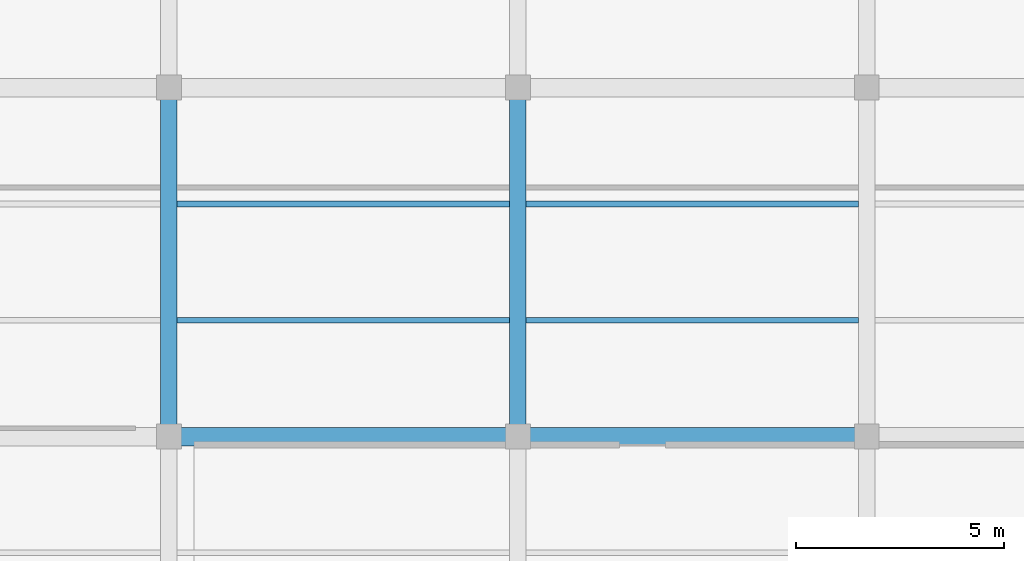
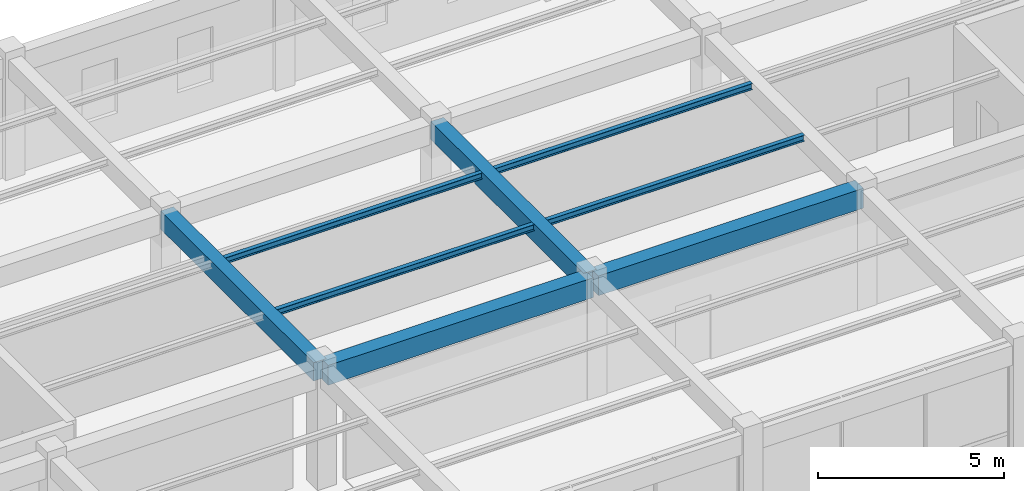
# One storey, part 12 of 114: 8 beams.
"""IFC4 building model written with IfcOpenShell, lengths in metres."""

from ifc_helpers import new_model, si_unit, direction, frame, origin, origin_2d, place, context, subcontext, project, spatial, rectangle, i_section, extrude, material, material_profile, profile_set, type_object, element, save


model = new_model("IFC4")

# Units and contexts
model_context = context("Model", 3, precision=1e-05, world=origin(), true_north=direction((0.0, 1.0)))
body_context = subcontext(model_context, "Body", "Model", "MODEL_VIEW")
ifc_project = project(units=[si_unit("LENGTHUNIT", "METRE"), si_unit("AREAUNIT", "SQUARE_METRE"), si_unit("VOLUMEUNIT", "CUBIC_METRE"), si_unit("PLANEANGLEUNIT", "RADIAN"), si_unit("MASSUNIT", "GRAM", prefix="KILO"), si_unit("THERMODYNAMICTEMPERATUREUNIT", "KELVIN"), si_unit("POWERUNIT", "WATT")], contexts=[model_context])

# Site, building, storey
site_placement = place(None, origin())
site = spatial("IfcSite", under=ifc_project, at=site_placement, CompositionType="ELEMENT")
building_placement = place(site_placement, origin())
building = spatial("IfcBuilding", under=site, at=building_placement, Name="Darbajah Civic Hall", CompositionType="ELEMENT")
storey_placement = place(building_placement, frame((0.0, 0.0, 13.800048828125)))
storey = spatial("IfcBuildingStorey", under=building, at=storey_placement, Name="L03", CompositionType="ELEMENT", Elevation=13.800048828125)

# Beams
ifc_material_1 = material(Name="Concrete C45/55", Category="concrete")
ifc_material_profile_1 = material_profile(ifc_material_1, rectangle(XDim=0.39990234375, YDim=0.60009765625, at=origin_2d()), Name="RC BEAM 400x600")
ifc_profile_set_1 = profile_set([ifc_material_profile_1], Name="Concrete C45/55")
beam_type_1 = type_object("IfcBeamType", Name="RC BEAM 400x600", PredefinedType="BEAM", material=ifc_profile_set_1)
for number, where, z_axis, x_axis, name in (
    (1, (16.800048828125, 25.280029296875, 3.639892578125), (0.0, 1.0, 0.0), (-1.0, 0.0, 0.0), "L03 beam BM-4060"),
    (2, (25.199951171875, 25.280029296875, 3.639892578125), (0.0, 1.0, 0.0), (-1.0, 0.0, 0.0), "L03 beam BM-4060"),
):
    element("IfcBeam", number, at=place(storey_placement, frame(where, z_axis=z_axis, x_axis=x_axis)), inside=storey, type_object=beam_type_1, Name=name, PredefinedType="BEAM", context=body_context, shape_type="SweptSolid", body=[
        extrude(rectangle(XDim=0.39990234375, YDim=0.60009765625, at=origin_2d()), origin(), (0.0, 0.0, 1.0), 8.239990234375),
    ])
ifc_material_profile_2 = material_profile(ifc_material_1, rectangle(XDim=0.449951171875, YDim=0.64990234375, at=origin_2d()), Name="RC BEAM 450x650")
ifc_profile_set_2 = profile_set([ifc_material_profile_2], Name="Concrete C45/55")
beam_type_2 = type_object("IfcBeamType", Name="RC BEAM 450x650", PredefinedType="BEAM", material=ifc_profile_set_2)
beam_1_placement = place(storey_placement, frame((16.8798828125, 25.199951171875, 3.614990234375), z_axis=(1.0, 0.0, 0.0), x_axis=(0.0, 1.0, 0.0)))
element("IfcBeam", 3, at=beam_1_placement, inside=storey, type_object=beam_type_2, Name="L03 beam BM-4565", PredefinedType="BEAM", context=body_context, shape_type="SweptSolid", body=[
    extrude(rectangle(XDim=0.449951171875, YDim=0.64990234375, at=origin_2d()), origin(), (0.0, 0.0, 1.0), 8.240234375),
])
beam_2_placement = place(storey_placement, frame((25.280029296875, 25.199951171875, 3.614990234375), z_axis=(1.0, 0.0, 0.0), x_axis=(0.0, 1.0, 0.0)))
element("IfcBeam", 4, at=beam_2_placement, inside=storey, type_object=beam_type_2, Name="L03 beam BM-4565", PredefinedType="BEAM", context=body_context, shape_type="SweptSolid", body=[
    extrude(rectangle(XDim=0.449951171875, YDim=0.64990234375, at=origin_2d()), origin(), (0.0, 0.0, 1.0), 8.239990234375),
])
ifc_material_2 = material(Name="Steel S355JR", Category="steel")
ifc_material_profile_3 = material_profile(ifc_material_2, i_section(OverallWidth=0.1337890625, OverallDepth=0.206787109375, WebThickness=0.00634765625, FlangeThickness=0.009521484375, FilletRadius=0.007568359375, at=origin_2d()), Name="UB 203x133x30")
ifc_profile_set_3 = profile_set([ifc_material_profile_3], Name="Steel S355JR")
beam_type_3 = type_object("IfcBeamType", Name="UB 203x133x30", PredefinedType="JOIST", material=ifc_profile_set_3)
for number, where, z_axis, x_axis, name in (
    (5, (17.0, 28.0, 3.836669921875), (1.0, 0.0, 0.0), (0.0, 1.0, 0.0), "L03 beam SJ-203"),
    (6, (17.0, 30.800048828125, 3.836669921875), (1.0, 0.0, 0.0), (0.0, 1.0, 0.0), "L03 beam SJ-203"),
    (7, (25.39990234375, 28.0, 3.836669921875), (1.0, 0.0, 0.0), (0.0, 1.0, 0.0), "L03 beam SJ-203"),
    (8, (25.39990234375, 30.800048828125, 3.836669921875), (1.0, 0.0, 0.0), (0.0, 1.0, 0.0), "L03 beam SJ-203"),
):
    element("IfcBeam", number, at=place(storey_placement, frame(where, z_axis=z_axis, x_axis=x_axis)), inside=storey, type_object=beam_type_3, Name=name, PredefinedType="JOIST", context=body_context, shape_type="SweptSolid", body=[
        extrude(i_section(OverallWidth=0.1337890625, OverallDepth=0.206787109375, WebThickness=0.00634765625, FlangeThickness=0.009521484375, FilletRadius=0.007568359375, at=origin_2d()), origin(), (0.0, 0.0, 1.0), 8.0),
    ])

save(model, "model.ifc")
